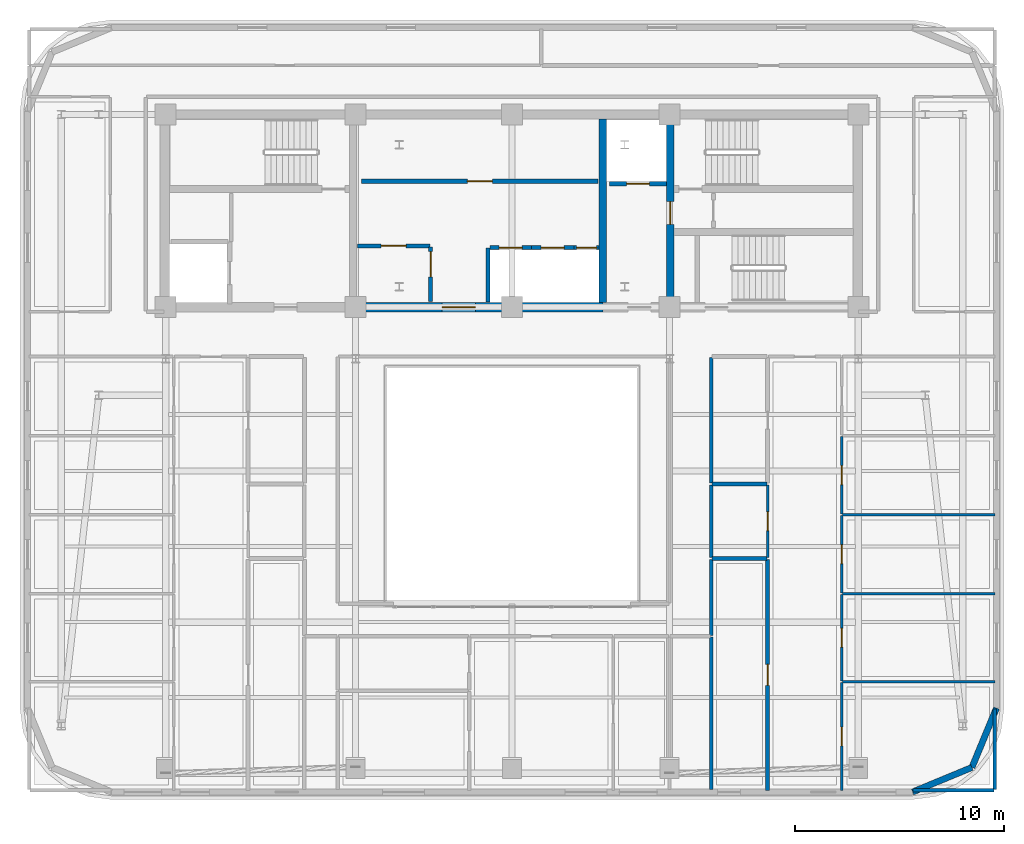
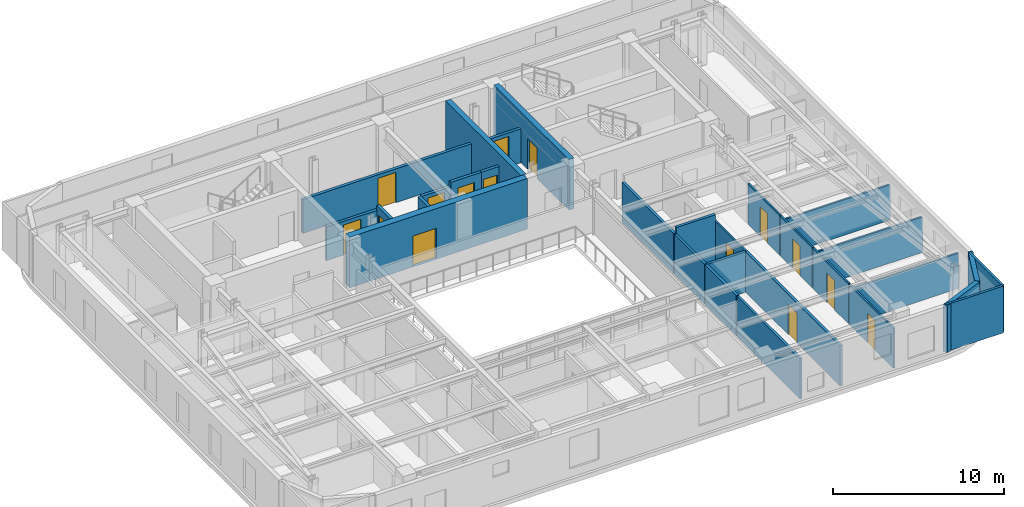
# One storey, part 8 of 14: 30 walls, 15 doors, 15 openings.
"""IFC4 building model written with IfcOpenShell, lengths in metres."""

import ifcopenshell
import ifcopenshell.guid

model = None  # the IFC model being written
_history = None  # IfcOwnerHistory: only IFC2X3 demands one
_inside = {}  # id of a spatial element -> (the spatial element, [elements in it])
_under = {}  # id of a project, library or spatial element -> (it, [spatial elements below it])
_declared = {}  # id of a project -> (the project, [libraries it declares])
_typed = {}  # id of a type object -> (the type object, [elements of that type])
_made_of = {}  # id of a material, layer set ... -> (it, [elements and type objects made of it])


def new_model(schema):
    """Start an empty IFC model of exactly this schema.

    Asked for "IFC4X3", IfcOpenShell would pick the latest addendum, in which some entities
    have other attributes; the version numbers below select the first issue.
    IFC2X3 requires an IfcOwnerHistory on every rooted entity: one is made here for all.
    """
    global model, _history
    if schema == "IFC4X3":
        model = ifcopenshell.file(schema_version=(4, 3, 0, 0))
    else:
        model = ifcopenshell.file(schema=schema)
    _inside.clear()
    _under.clear()
    _declared.clear()
    _typed.clear()
    _made_of.clear()
    _history = None
    if model.schema == "IFC2X3":
        org = make("IfcOrganization", Name="unknown")
        user = make(
            "IfcPersonAndOrganization",
            ThePerson=make("IfcPerson", FamilyName="unknown"),
            TheOrganization=org,
        )
        app = make(
            "IfcApplication",
            ApplicationDeveloper=org,
            Version="unknown",
            ApplicationFullName="unknown",
            ApplicationIdentifier="unknown",
        )
        _history = make(
            "IfcOwnerHistory",
            OwningUser=user,
            OwningApplication=app,
            ChangeAction="ADDED",
            CreationDate=0,
        )
    return model


def make(cls, **values):
    """One entity of the class cls with the attributes given. An attribute that is None is left unset."""
    return model.create_entity(
        cls, **{name: value for name, value in values.items() if value is not None}
    )


def rooted(cls, **values):
    """An entity with a GlobalId (a new one), such as an element, a storey or a relation."""
    return make(cls, GlobalId=ifcopenshell.guid.new(), OwnerHistory=_history, **values)


def si_unit(unit_type, name, prefix=None):
    """IfcSIUnit, for example si_unit("LENGTHUNIT", "METRE", prefix="MILLI")."""
    return make("IfcSIUnit", UnitType=unit_type, Prefix=prefix, Name=name)


def assignment(units):
    """IfcUnitAssignment: the units of a project."""
    return None if units is None else make("IfcUnitAssignment", Units=units)


def point(xyz):
    """IfcCartesianPoint."""
    return None if xyz is None else make("IfcCartesianPoint", Coordinates=xyz)


def direction(xyz):
    """IfcDirection."""
    return None if xyz is None else make("IfcDirection", DirectionRatios=xyz)


def frame(location, z_axis=None, x_axis=None):
    """IfcAxis2Placement3D, a coordinate frame: its origin and axes. An axis left out is left unset."""
    return make(
        "IfcAxis2Placement3D",
        Location=point(location),
        Axis=direction(z_axis),
        RefDirection=direction(x_axis),
    )


def frame_2d(location, x_axis=None):
    """IfcAxis2Placement2D, a coordinate frame in the plane: its origin and x axis."""
    return make(
        "IfcAxis2Placement2D", Location=point(location), RefDirection=direction(x_axis)
    )


def origin():
    """The frame at (0, 0, 0) with its axes left unset."""
    return frame((0.0, 0.0, 0.0))


def place(relative_to, where):
    """IfcLocalPlacement: puts the frame where relative to a parent placement (None: the world)."""
    return make(
        "IfcLocalPlacement", PlacementRelTo=relative_to, RelativePlacement=where
    )


def context(
    kind, dimensions, precision=None, world=None, true_north=None, identifier=None
):
    """IfcGeometricRepresentationContext, for example the 3D "Model" context."""
    return make(
        "IfcGeometricRepresentationContext",
        ContextIdentifier=identifier,
        ContextType=kind,
        CoordinateSpaceDimension=dimensions,
        Precision=precision,
        WorldCoordinateSystem=world,
        TrueNorth=true_north,
    )


def subcontext(parent, identifier, kind, view, scale=None):
    """IfcGeometricRepresentationSubContext, for example "Body" below "Model"."""
    return make(
        "IfcGeometricRepresentationSubContext",
        ContextIdentifier=identifier,
        ContextType=kind,
        ParentContext=parent,
        TargetScale=scale,
        TargetView=view,
    )


def project(units=None, contexts=None):
    """IfcProject with its units and contexts."""
    return rooted(
        "IfcProject",
        Name="project",
        RepresentationContexts=contexts,
        UnitsInContext=assignment(units),
    )


def spatial(cls, under=None, at=None, **own):
    """A site, building, storey or space (cls), placed at a placement, below another one or the project."""
    s = rooted(cls, ObjectPlacement=at, **own)
    if under is not None:
        _under.setdefault(under.id(), (under, []))[1].append(s)
    return s


def profile(cls, at=None, kind="AREA", **sizes):
    """A parametric profile (cls). Its sizes go by their IFC names, for example OverallWidth=200.0."""
    return make(cls, ProfileType=kind, Position=at, **sizes)


def rectangle(**sizes):
    """IfcRectangleProfileDef."""
    return profile("IfcRectangleProfileDef", **sizes)


def extrude(swept, where, along, depth):
    """IfcExtrudedAreaSolid: the profile swept, set in the frame where, extruded along a direction by depth."""
    return make(
        "IfcExtrudedAreaSolid",
        SweptArea=swept,
        Position=where,
        ExtrudedDirection=direction(along),
        Depth=depth,
    )


def shape(context_of_items, identifier, shape_type, items):
    """IfcShapeRepresentation: the items that make up one representation, for example the "Body"."""
    return make(
        "IfcShapeRepresentation",
        ContextOfItems=context_of_items,
        RepresentationIdentifier=identifier,
        RepresentationType=shape_type,
        Items=items,
    )


def material(Name=None, Category=None):
    """IfcMaterial."""
    return make("IfcMaterial", Name=Name, Category=Category)


def layer(
    of_material, thickness, ventilated=None, Name=None, Category=None, Priority=None
):
    """IfcMaterialLayer: one layer of a wall or slab, of a material (None: an air gap)."""
    return make(
        "IfcMaterialLayer",
        Material=of_material,
        LayerThickness=thickness,
        IsVentilated=ventilated,
        Name=Name,
        Category=Category,
        Priority=Priority,
    )


def layer_set(layers, Name=None):
    """IfcMaterialLayerSet."""
    return make("IfcMaterialLayerSet", MaterialLayers=layers, LayerSetName=Name)


def made_of(thing, what):
    """Note that an element or type object is made of a material, layer set ...; save() writes the relation."""
    if what is not None:
        _made_of.setdefault(what.id(), (what, []))[1].append(thing)
    return thing


def type_object(cls, material=None, **own):
    """A type object (cls), such as IfcWallType, which elements share."""
    return made_of(rooted(cls, **own), material)


def element(
    cls,
    number,
    at=None,
    inside=None,
    cuts=None,
    type_object=None,
    material=None,
    context=None,
    identifier="Body",
    shape_type=None,
    held_by="IfcProductDefinitionShape",
    body=None,
    shapes=None,
    **own,
):
    """One element of the class cls, such as IfcWall. Its Tag is "e" and its number.

    at: its placement. inside: the storey or other place that contains it. cuts: it is an
    opening in that element (IfcRelVoidsElement). A single representation is given by context,
    identifier, shape_type and body (its items); several are given by shapes. held_by: the class
    of the entity that holds the representations. save() writes the other relations.
    """
    e = rooted(cls, Tag="e%d" % number, ObjectPlacement=at, **own)
    if body is not None:
        shapes = [shape(context, identifier, shape_type, body)]
    if shapes is not None:
        e.Representation = make(held_by, Representations=shapes)
    if inside is not None:
        _inside.setdefault(inside.id(), (inside, []))[1].append(e)
    if cuts is not None:
        rooted(
            "IfcRelVoidsElement", RelatingBuildingElement=cuts, RelatedOpeningElement=e
        )
    if type_object is not None:
        _typed.setdefault(type_object.id(), (type_object, []))[1].append(e)
    return made_of(e, material)


def fill(opening, filler):
    """IfcRelFillsElement: the door or window that sits in an opening."""
    return rooted(
        "IfcRelFillsElement",
        RelatingOpeningElement=opening,
        RelatedBuildingElement=filler,
    )


def aggregate(whole, parts):
    """IfcRelAggregates: a whole, such as a stair, and the parts it consists of."""
    return rooted("IfcRelAggregates", RelatingObject=whole, RelatedObjects=parts)


def save(model, path):
    """Write the relations noted so far, then the file.

    IfcRelAggregates (storeys below a building ...), IfcRelContainedInSpatialStructure (elements
    in a storey), IfcRelDefinesByType, IfcRelAssociatesMaterial and IfcRelDeclares: one each for
    every whole, place, type object, material and project.
    """
    for whole, parts in _under.values():
        aggregate(whole, parts)
    for where, things in _inside.values():
        rooted(
            "IfcRelContainedInSpatialStructure",
            RelatedElements=things,
            RelatingStructure=where,
        )
    for kind, things in _typed.values():
        rooted("IfcRelDefinesByType", RelatedObjects=things, RelatingType=kind)
    for what, things in _made_of.values():
        rooted("IfcRelAssociatesMaterial", RelatedObjects=things, RelatingMaterial=what)
    for by, libraries in _declared.values():
        rooted("IfcRelDeclares", RelatingContext=by, RelatedDefinitions=libraries)
    model.write(path)


model = new_model("IFC4")

# Units and contexts
model_context = context("Model", 3, precision=1e-05, world=origin(), true_north=direction((0.0, 1.0)))
body_context = subcontext(model_context, "Body", "Model", "MODEL_VIEW")
ifc_project = project(units=[si_unit("LENGTHUNIT", "METRE"), si_unit("AREAUNIT", "SQUARE_METRE"), si_unit("VOLUMEUNIT", "CUBIC_METRE"), si_unit("PLANEANGLEUNIT", "RADIAN"), si_unit("MASSUNIT", "GRAM", prefix="KILO")], contexts=[model_context])

# Site, building, storey
site_placement = place(None, origin())
site = spatial("IfcSite", under=ifc_project, at=site_placement, CompositionType="ELEMENT")
building_placement = place(site_placement, origin())
building = spatial("IfcBuilding", under=site, at=building_placement, Name="Zarnavel Station Tower", CompositionType="ELEMENT")
storey_placement = place(building_placement, frame((0.0, 0.0, 225.60009765625)))
storey = spatial("IfcBuildingStorey", under=building, at=storey_placement, Name="L61", CompositionType="ELEMENT", Elevation=225.60009765625)

# Wall
ifc_material_1 = material(Name="Concrete C50/60", Category="concrete")
ifc_layer_1 = layer(ifc_material_1, 0.35009765625)
ifc_layer_set_1 = layer_set([ifc_layer_1], Name="CW_350")
wall_type_1 = type_object("IfcWallType", Name="CW_350", PredefinedType="SHEAR", material=ifc_layer_set_1)
wall_1_placement = place(storey_placement, frame((33.14990234375, 28.044921875, 0.0), z_axis=(0.0, 0.0, 1.0), x_axis=(0.0, 1.0, 0.0)))
element("IfcWall", 1, at=wall_1_placement, inside=storey, type_object=wall_type_1, Name="L61 Rear Core Shear Wall DIV-E", PredefinedType="SHEAR", context=body_context, shape_type="SweptSolid", body=[
    extrude(rectangle(XDim=8.780029296875, YDim=0.35009765625, at=frame_2d((4.39013671875, 0.0))), origin(), (0.0, 0.0, 1.0), 3.599853515625),
])

# Wall, opening, door
wall_2_placement = place(storey_placement, frame((36.3798828125, 28.044921875, 0.0), z_axis=(0.0, 0.0, 1.0), x_axis=(0.0, 1.0, 0.0)))
wall_2 = element("IfcWall", 2, at=wall_2_placement, inside=storey, type_object=wall_type_1, Name="L61 Rear Core Shear Wall DIV-S2", PredefinedType="SHEAR", context=body_context, shape_type="SweptSolid", body=[
    extrude(rectangle(XDim=8.780029296875, YDim=0.35009765625, at=frame_2d((4.39013671875, 0.0))), origin(), (0.0, 0.0, 1.0), 3.599853515625),
])
opening_1_placement = place(wall_2_placement, frame((3.735107421875, 0.0, 0.0)))
opening_1 = element("IfcOpeningElement", 3, at=opening_1_placement, cuts=wall_2, Name="Opening FD01", PredefinedType="OPENING", context=body_context, shape_type="SweptSolid", body=[
    extrude(rectangle(XDim=1.10009765625, YDim=2.14990234375, at=frame_2d((0.550048828125, 1.074951171875))), frame((0.0, 0.18505859375, 0.0), z_axis=(0.0, -1.0, 0.0), x_axis=(1.0, 0.0, 0.0)), (0.0, 0.0, 1.0), 0.3701171875),
])
ifc_material_2 = material(Name="Painted Galvanised Steel and Hardwood Leaf", Category="steel")
door_type_1 = type_object("IfcDoorType", Name="ID_STAIR_1100", OperationType="NOTDEFINED", PredefinedType="DOOR", material=ifc_material_2)
door_1_placement = place(opening_1_placement, origin())
door_1 = element("IfcDoor", 4, at=door_1_placement, inside=storey, type_object=door_type_1, Name="L61 East Stair Vestibule Fire Door", OperationType="SINGLE_SWING_LEFT", OverallHeight=2.14990234375, OverallWidth=1.10009765625, PredefinedType="DOOR", context=body_context, shape_type="SweptSolid", body=[
    extrude(rectangle(XDim=1.10009765625, YDim=2.14990234375, at=frame_2d((0.550048828125, 1.074951171875))), frame((0.0, 0.02490234375, 0.0), z_axis=(0.0, -1.0, 0.0), x_axis=(1.0, 0.0, 0.0)), (0.0, 0.0, 1.0), 0.050048828125),
])
fill(opening_1, door_1)

ifc_material_3 = material(Name="Concrete C50/60", Category="concrete")
ifc_layer_2 = layer(ifc_material_3, 0.449951171875)
ifc_layer_set_2 = layer_set([ifc_layer_2], Name="CW_450")
wall_type_2 = type_object("IfcWallType", Name="CW_450", PredefinedType="SHEAR", material=ifc_layer_set_2)
wall_3_placement = place(storey_placement, frame((33.14990234375, 27.820068359375, 0.0), z_axis=(0.0, 0.0, 1.0), x_axis=(-1.0, 0.0, 0.0)))
wall_3 = element("IfcWall", 5, at=wall_3_placement, inside=storey, type_object=wall_type_2, Name="L61 Rear Core Shear Wall S-M", PredefinedType="SHEAR", context=body_context, shape_type="SweptSolid", body=[
    extrude(rectangle(XDim=11.969970703125, YDim=0.449951171875, at=frame_2d((5.98486328125, 0.0))), origin(), (0.0, 0.0, 1.0), 3.599853515625),
])
opening_2_placement = place(wall_3_placement, frame((6.10009765625, 0.0, 0.0)))
opening_2 = element("IfcOpeningElement", 6, at=opening_2_placement, cuts=wall_3, Name="Opening ID03", PredefinedType="OPENING", context=body_context, shape_type="SweptSolid", body=[
    extrude(rectangle(XDim=1.60009765625, YDim=2.199951171875, at=frame_2d((0.800048828125, 1.10009765625))), frame((0.0, 0.23486328125, 0.0), z_axis=(0.0, -1.0, 0.0), x_axis=(1.0, 0.0, 0.0)), (0.0, 0.0, 1.0), 0.469970703125),
])
ifc_material_4 = material(Name="Painted Galvanised Steel and Hardwood Leaf", Category="steel")
door_type_2 = type_object("IfcDoorType", Name="ID_PUBLIC_1600", OperationType="DOUBLE_DOOR_SINGLE_SWING", PredefinedType="DOOR", material=ifc_material_4)
door_2_placement = place(opening_2_placement, origin())
door_2 = element("IfcDoor", 7, at=door_2_placement, inside=storey, type_object=door_type_2, Name="L61 Passenger Lift Lobby Double Door", OperationType="SINGLE_SWING_LEFT", OverallHeight=2.199951171875, OverallWidth=1.60009765625, PredefinedType="DOOR", context=body_context, shape_type="SweptSolid", body=[
    extrude(rectangle(XDim=1.60009765625, YDim=2.199951171875, at=frame_2d((0.800048828125, 1.10009765625))), frame((0.0, 0.02490234375, 0.0), z_axis=(0.0, -1.0, 0.0), x_axis=(1.0, 0.0, 0.0)), (0.0, 0.0, 1.0), 0.050048828125),
])
fill(opening_2, door_2)

# Walls
ifc_material_5 = material(Name="Precast concrete C45/55 (Dark Basalt Finish)", Category="masonry")
ifc_layer_3 = layer(ifc_material_5, 0.300048828125)
ifc_layer_set_3 = layer_set([ifc_layer_3], Name="EW_BASALT_300")
wall_type_3 = type_object("IfcWallType", Name="EW_BASALT_300", PredefinedType="SOLIDWALL", material=ifc_layer_set_3)
wall_4_placement = place(storey_placement, frame((50.842529296875, 5.75732421875, 0.0), z_axis=(0.0, 0.0, 1.0), x_axis=(-0.92389884758, -0.382636798336, 0.0)))
element("IfcWall", 8, at=wall_4_placement, inside=storey, type_object=wall_type_3, Name="L61 Exterior Basalt Masonry Frame Wall 01", PredefinedType="SOLIDWALL", context=body_context, shape_type="SweptSolid", body=[
    extrude(rectangle(XDim=3.07666015625, YDim=0.300048828125, at=frame_2d((1.538330078125, 0.0))), origin(), (0.0, 0.0, 1.0), 3.33984375),
])
wall_5_placement = place(storey_placement, frame((52.02001953125, 8.60009765625, 0.0), z_axis=(0.0, 0.0, 1.0), x_axis=(-0.382676475685, -0.923882414032, 0.0)))
element("IfcWall", 9, at=wall_5_placement, inside=storey, type_object=wall_type_3, Name="L61 Exterior Basalt Masonry Frame Wall 02", PredefinedType="SOLIDWALL", context=body_context, shape_type="SweptSolid", body=[
    extrude(rectangle(XDim=3.076904296875, YDim=0.300048828125, at=frame_2d((1.53857421875, 0.0))), origin(), (0.0, 0.0, 1.0), 3.33984375),
])
ifc_material_6 = material(Name="Gypsum Twin-Stud Acoustic Fire Partition", Category="concrete")
ifc_layer_4 = layer(ifc_material_6, 0.159912109375)
ifc_layer_set_4 = layer_set([ifc_layer_4], Name="PT_DEMISE_160")
wall_type_4 = type_object("IfcWallType", Name="PT_DEMISE_160", PredefinedType="PARTITIONING", material=ifc_layer_set_4)
wall_6_placement = place(storey_placement, frame((38.35009765625, 15.81103515625, 0.0), z_axis=(0.0, 0.0, 1.0), x_axis=(0.0, 1.0, 0.0)))
element("IfcWall", 10, at=wall_6_placement, inside=storey, type_object=wall_type_4, Name="L61 Partition COR-AE-UE1UT", PredefinedType="PARTITIONING", context=body_context, shape_type="SweptSolid", body=[
    extrude(rectangle(XDim=3.488037109375, YDim=0.159912109375, at=frame_2d((1.744140625, 0.0))), origin(), (0.0, 0.0, 1.0), 2.869873046875),
])
wall_7_placement = place(storey_placement, frame((38.35009765625, 4.68994140625, 0.0), z_axis=(0.0, 0.0, 1.0), x_axis=(0.0, 1.0, 0.0)))
element("IfcWall", 11, at=wall_7_placement, inside=storey, type_object=wall_type_4, Name="L61 Enclosure Wall UE1KT", PredefinedType="PARTITIONING", context=body_context, shape_type="SweptSolid", body=[
    extrude(rectangle(XDim=7.330078125, YDim=0.159912109375, at=frame_2d((3.6650390625, 0.0))), origin(), (0.0, 0.0, 1.0), 2.869873046875),
])
wall_8_placement = place(storey_placement, frame((48.030029296875, 4.659912109375, 0.0), z_axis=(0.0, 0.0, 1.0), x_axis=(1.0, 0.0, 0.0)))
element("IfcWall", 12, at=wall_8_placement, inside=storey, type_object=wall_type_4, Name="L61 Enclosure Wall UE1B1", PredefinedType="PARTITIONING", context=body_context, shape_type="SweptSolid", body=[
    extrude(rectangle(XDim=3.8798828125, YDim=0.159912109375, at=frame_2d((1.93994140625, 0.0))), origin(), (0.0, 0.0, 1.0), 3.33984375),
])
wall_9_placement = place(storey_placement, frame((51.93994140625, 4.68994140625, 0.0), z_axis=(0.0, 0.0, 1.0), x_axis=(0.0, 1.0, 0.0)))
element("IfcWall", 13, at=wall_9_placement, inside=storey, type_object=wall_type_4, Name="L61 Enclosure Wall UE1B1", PredefinedType="PARTITIONING", context=body_context, shape_type="SweptSolid", body=[
    extrude(rectangle(XDim=3.880126953125, YDim=0.159912109375, at=frame_2d((1.93994140625, 0.0))), origin(), (0.0, 0.0, 1.0), 3.33984375),
])

# Wall, opening, door
ifc_material_7 = material(Name="Gypsum Metal-Stud Interior Partition", Category="concrete")
ifc_layer_5 = layer(ifc_material_7, 0.1201171875)
ifc_layer_set_5 = layer_set([ifc_layer_5], Name="PT_ROOM_120")
wall_type_5 = type_object("IfcWallType", Name="PT_ROOM_120", PredefinedType="PARTITIONING", material=ifc_layer_set_5)
wall_10_placement = place(storey_placement, frame((41.050048828125, 15.81103515625, 0.0), z_axis=(0.0, 0.0, 1.0), x_axis=(0.0, 1.0, 0.0)))
wall_10 = element("IfcWall", 14, at=wall_10_placement, inside=storey, type_object=wall_type_5, Name="L61 Partition UE1LV-UE1UT", PredefinedType="PARTITIONING", context=body_context, shape_type="SweptSolid", body=[
    extrude(rectangle(XDim=3.488037109375, YDim=0.1201171875, at=frame_2d((1.744140625, 0.0))), origin(), (0.0, 0.0, 1.0), 2.869873046875),
])
opening_3_placement = place(wall_10_placement, frame((1.2939453125, 0.0, 0.0)))
opening_3 = element("IfcOpeningElement", 15, at=opening_3_placement, cuts=wall_10, Name="Opening ID01", PredefinedType="OPENING", context=body_context, shape_type="SweptSolid", body=[
    extrude(rectangle(XDim=0.89990234375, YDim=2.10009765625, at=frame_2d((0.449951171875, 1.050048828125))), frame((0.0, 0.070068359375, 0.0), z_axis=(0.0, -1.0, 0.0), x_axis=(1.0, 0.0, 0.0)), (0.0, 0.0, 1.0), 0.14013671875),
])
ifc_material_8 = material(Name="Painted Galvanised Steel and Hardwood Leaf", Category="steel")
door_type_3 = type_object("IfcDoorType", Name="ID_ROOM_900", OperationType="NOTDEFINED", PredefinedType="DOOR", material=ifc_material_8)
door_3_placement = place(opening_3_placement, origin())
door_3 = element("IfcDoor", 16, at=door_3_placement, inside=storey, type_object=door_type_3, Name="L61 Door UE1LV-UE1UT", OperationType="SINGLE_SWING_LEFT", OverallHeight=2.10009765625, OverallWidth=0.89990234375, PredefinedType="DOOR", context=body_context, shape_type="SweptSolid", body=[
    extrude(rectangle(XDim=0.89990234375, YDim=2.10009765625, at=frame_2d((0.449951171875, 1.050048828125))), frame((0.0, 0.02490234375, 0.0), z_axis=(0.0, -1.0, 0.0), x_axis=(1.0, 0.0, 0.0)), (0.0, 0.0, 1.0), 0.050048828125),
])
fill(opening_3, door_3)

wall_11_placement = place(storey_placement, frame((44.60888671875, 4.659912109375, 0.0), z_axis=(0.0, 0.0, 1.0), x_axis=(0.0, 1.0, 0.0)))
wall_11 = element("IfcWall", 17, at=wall_11_placement, inside=storey, type_object=wall_type_5, Name="L61 Partition UE1LV-UE1B1", PredefinedType="PARTITIONING", context=body_context, shape_type="SweptSolid", body=[
    extrude(rectangle(XDim=5.156982421875, YDim=0.1201171875, at=frame_2d((2.57861328125, 0.0))), origin(), (0.0, 0.0, 1.0), 2.869873046875),
])
opening_4_placement = place(wall_11_placement, frame((2.12841796875, 0.0, 0.0)))
opening_4 = element("IfcOpeningElement", 18, at=opening_4_placement, cuts=wall_11, Name="Opening ID01", PredefinedType="OPENING", context=body_context, shape_type="SweptSolid", body=[
    extrude(rectangle(XDim=0.89990234375, YDim=2.10009765625, at=frame_2d((0.449951171875, 1.050048828125))), frame((0.0, 0.070068359375, 0.0), z_axis=(0.0, -1.0, 0.0), x_axis=(1.0, 0.0, 0.0)), (0.0, 0.0, 1.0), 0.14013671875),
])
door_4_placement = place(opening_4_placement, origin())
door_4 = element("IfcDoor", 19, at=door_4_placement, inside=storey, type_object=door_type_3, Name="L61 Door UE1LV-UE1B1", OperationType="SINGLE_SWING_LEFT", OverallHeight=2.10009765625, OverallWidth=0.89990234375, PredefinedType="DOOR", context=body_context, shape_type="SweptSolid", body=[
    extrude(rectangle(XDim=0.89990234375, YDim=2.10009765625, at=frame_2d((0.449951171875, 1.050048828125))), frame((0.0, 0.02490234375, 0.0), z_axis=(0.0, -1.0, 0.0), x_axis=(1.0, 0.0, 0.0)), (0.0, 0.0, 1.0), 0.050048828125),
])
fill(opening_4, door_4)

wall_12_placement = place(storey_placement, frame((44.60888671875, 9.89697265625, 0.0), z_axis=(0.0, 0.0, 1.0), x_axis=(0.0, 1.0, 0.0)))
wall_12 = element("IfcWall", 20, at=wall_12_placement, inside=storey, type_object=wall_type_5, Name="L61 Partition UE1LV-UE1B2", PredefinedType="PARTITIONING", context=body_context, shape_type="SweptSolid", body=[
    extrude(rectangle(XDim=4.14794921875, YDim=0.1201171875, at=frame_2d((2.073974609375, 0.0))), origin(), (0.0, 0.0, 1.0), 2.8798828125),
])
opening_5_placement = place(wall_12_placement, frame((1.6240234375, 0.0, 0.0)))
opening_5 = element("IfcOpeningElement", 21, at=opening_5_placement, cuts=wall_12, Name="Opening ID01", PredefinedType="OPENING", context=body_context, shape_type="SweptSolid", body=[
    extrude(rectangle(XDim=0.89990234375, YDim=2.10009765625, at=frame_2d((0.449951171875, 1.050048828125))), frame((0.0, 0.070068359375, 0.0), z_axis=(0.0, -1.0, 0.0), x_axis=(1.0, 0.0, 0.0)), (0.0, 0.0, 1.0), 0.14013671875),
])
door_5_placement = place(opening_5_placement, origin())
door_5 = element("IfcDoor", 22, at=door_5_placement, inside=storey, type_object=door_type_3, Name="L61 Door UE1LV-UE1B2", OperationType="SINGLE_SWING_RIGHT", OverallHeight=2.10009765625, OverallWidth=0.89990234375, PredefinedType="DOOR", context=body_context, shape_type="SweptSolid", body=[
    extrude(rectangle(XDim=0.89990234375, YDim=2.10009765625, at=frame_2d((0.449951171875, 1.050048828125))), frame((0.0, 0.02490234375, 0.0), z_axis=(0.0, -1.0, 0.0), x_axis=(1.0, 0.0, 0.0)), (0.0, 0.0, 1.0), 0.050048828125),
])
fill(opening_5, door_5)

wall_13_placement = place(storey_placement, frame((44.60888671875, 14.125, 0.0), z_axis=(0.0, 0.0, 1.0), x_axis=(0.0, 1.0, 0.0)))
wall_13 = element("IfcWall", 23, at=wall_13_placement, inside=storey, type_object=wall_type_5, Name="L61 Partition UE1LV-UE1B3", PredefinedType="PARTITIONING", context=body_context, shape_type="SweptSolid", body=[
    extrude(rectangle(XDim=3.7080078125, YDim=0.1201171875, at=frame_2d((1.85400390625, 0.0))), origin(), (0.0, 0.0, 1.0), 2.869873046875),
])
opening_6_placement = place(wall_13_placement, frame((1.404052734375, 0.0, 0.0)))
opening_6 = element("IfcOpeningElement", 24, at=opening_6_placement, cuts=wall_13, Name="Opening ID01", PredefinedType="OPENING", context=body_context, shape_type="SweptSolid", body=[
    extrude(rectangle(XDim=0.89990234375, YDim=2.10009765625, at=frame_2d((0.449951171875, 1.050048828125))), frame((0.0, 0.070068359375, 0.0), z_axis=(0.0, -1.0, 0.0), x_axis=(1.0, 0.0, 0.0)), (0.0, 0.0, 1.0), 0.14013671875),
])
door_6_placement = place(opening_6_placement, origin())
door_6 = element("IfcDoor", 25, at=door_6_placement, inside=storey, type_object=door_type_3, Name="L61 Door UE1LV-UE1B3", OperationType="SINGLE_SWING_LEFT", OverallHeight=2.10009765625, OverallWidth=0.89990234375, PredefinedType="DOOR", context=body_context, shape_type="SweptSolid", body=[
    extrude(rectangle(XDim=0.89990234375, YDim=2.10009765625, at=frame_2d((0.449951171875, 1.050048828125))), frame((0.0, 0.02490234375, 0.0), z_axis=(0.0, -1.0, 0.0), x_axis=(1.0, 0.0, 0.0)), (0.0, 0.0, 1.0), 0.050048828125),
])
fill(opening_6, door_6)

wall_14_placement = place(storey_placement, frame((44.60888671875, 17.9130859375, 0.0), z_axis=(0.0, 0.0, 1.0), x_axis=(0.0, 1.0, 0.0)))
wall_14 = element("IfcWall", 26, at=wall_14_placement, inside=storey, type_object=wall_type_5, Name="L61 Partition UE1LV-UE1B4", PredefinedType="PARTITIONING", context=body_context, shape_type="SweptSolid", body=[
    extrude(rectangle(XDim=3.7080078125, YDim=0.1201171875, at=frame_2d((1.85400390625, 0.0))), origin(), (0.0, 0.0, 1.0), 2.8798828125),
])
opening_7_placement = place(wall_14_placement, frame((1.404052734375, 0.0, 0.0)))
opening_7 = element("IfcOpeningElement", 27, at=opening_7_placement, cuts=wall_14, Name="Opening ID01", PredefinedType="OPENING", context=body_context, shape_type="SweptSolid", body=[
    extrude(rectangle(XDim=0.89990234375, YDim=2.10009765625, at=frame_2d((0.449951171875, 1.050048828125))), frame((0.0, 0.070068359375, 0.0), z_axis=(0.0, -1.0, 0.0), x_axis=(1.0, 0.0, 0.0)), (0.0, 0.0, 1.0), 0.14013671875),
])
door_7_placement = place(opening_7_placement, origin())
door_7 = element("IfcDoor", 28, at=door_7_placement, inside=storey, type_object=door_type_3, Name="L61 Door UE1LV-UE1B4", OperationType="SINGLE_SWING_RIGHT", OverallHeight=2.10009765625, OverallWidth=0.89990234375, PredefinedType="DOOR", context=body_context, shape_type="SweptSolid", body=[
    extrude(rectangle(XDim=0.89990234375, YDim=2.10009765625, at=frame_2d((0.449951171875, 1.050048828125))), frame((0.0, 0.02490234375, 0.0), z_axis=(0.0, -1.0, 0.0), x_axis=(1.0, 0.0, 0.0)), (0.0, 0.0, 1.0), 0.050048828125),
])
fill(opening_7, door_7)

# Walls
for number, where, z_axis, x_axis, name in (
    (29, (44.64892578125, 9.85693359375, 0.0), (0.0, 0.0, 1.0), (1.0, 0.0, 0.0), "L61 Partition UE1B1-UE1B2"),
    (30, (44.64892578125, 14.0849609375, 0.0), (0.0, 0.0, 1.0), (1.0, 0.0, 0.0), "L61 Partition UE1B2-UE1B3"),
    (31, (44.64892578125, 17.873046875, 0.0), (0.0, 0.0, 1.0), (1.0, 0.0, 0.0), "L61 Partition UE1B3-UE1B4"),
):
    element("IfcWall", number, at=place(storey_placement, frame(where, z_axis=z_axis, x_axis=x_axis)), inside=storey, type_object=wall_type_5, Name=name, PredefinedType="PARTITIONING", context=body_context, shape_type="SweptSolid", body=[
        extrude(rectangle(XDim=7.291015625, YDim=0.1201171875, at=frame_2d((3.6455078125, 0.0))), origin(), (0.0, 0.0, 1.0), 2.52001953125),
    ])

# Wall, opening, door
ifc_material_9 = material(Name="Precast concrete C45/55 (Fire Shaft Blockwork)", Category="masonry")
ifc_layer_6 = layer(ifc_material_9, 0.199951171875)
ifc_layer_set_6 = layer_set([ifc_layer_6], Name="PT_SHAFT_200")
wall_type_6 = type_object("IfcWallType", Name="PT_SHAFT_200", PredefinedType="PARTITIONING", material=ifc_layer_set_6)
wall_15_placement = place(storey_placement, frame((33.47509765625, 33.72998046875, 0.0), z_axis=(0.0, 0.0, 1.0), x_axis=(1.0, 0.0, 0.0)))
wall_15 = element("IfcWall", 32, at=wall_15_placement, inside=storey, type_object=wall_type_6, Name="L61 Lift FFL-02 Shaft Front Wall", PredefinedType="PARTITIONING", context=body_context, shape_type="SweptSolid", body=[
    extrude(rectangle(XDim=2.724853515625, YDim=0.199951171875, at=frame_2d((1.3623046875, 0.0))), origin(), (0.0, 0.0, 1.0), 2.409912109375),
])
opening_8_placement = place(wall_15_placement, frame((0.8125, 0.0, 0.0)))
opening_8 = element("IfcOpeningElement", 33, at=opening_8_placement, cuts=wall_15, Name="Opening LD01", PredefinedType="OPENING", context=body_context, shape_type="SweptSolid", body=[
    extrude(rectangle(XDim=1.10009765625, YDim=2.14990234375, at=frame_2d((0.550048828125, 1.074951171875))), frame((0.0, 0.10986328125, 0.0), z_axis=(0.0, -1.0, 0.0), x_axis=(1.0, 0.0, 0.0)), (0.0, 0.0, 1.0), 0.219970703125),
])
ifc_material_10 = material(Name="Painted Galvanised Steel and Hardwood Leaf", Category="steel")
door_type_4 = type_object("IfcDoorType", Name="LD_FF_1100", OperationType="DOUBLE_DOOR_SLIDING", PredefinedType="DOOR", material=ifc_material_10)
door_8_placement = place(opening_8_placement, origin())
door_8 = element("IfcDoor", 34, at=door_8_placement, inside=storey, type_object=door_type_4, Name="L61 Lift FFL-02 Sliding Landing Door", OperationType="DOUBLE_DOOR_SLIDING", OverallHeight=2.14990234375, OverallWidth=1.10009765625, PredefinedType="DOOR", context=body_context, shape_type="SweptSolid", body=[
    extrude(rectangle(XDim=1.10009765625, YDim=2.14990234375, at=frame_2d((0.550048828125, 1.074951171875))), frame((0.0, 0.02490234375, 0.0), z_axis=(0.0, -1.0, 0.0), x_axis=(1.0, 0.0, 0.0)), (0.0, 0.0, 1.0), 0.050048828125),
])
fill(opening_8, door_8)

wall_16_placement = place(storey_placement, frame((27.75, 30.669921875, 0.0), z_axis=(0.0, 0.0, 1.0), x_axis=(1.0, 0.0, 0.0)))
wall_16 = element("IfcWall", 35, at=wall_16_placement, inside=storey, type_object=wall_type_6, Name="L61 Lift PL-H1 Shaft Front Wall", PredefinedType="PARTITIONING", context=body_context, shape_type="SweptSolid", body=[
    extrude(rectangle(XDim=1.97509765625, YDim=0.199951171875, at=frame_2d((0.987548828125, 0.0))), origin(), (0.0, 0.0, 1.0), 2.409912109375),
])
opening_9_placement = place(wall_16_placement, frame((0.4375, 0.0, 0.0)))
opening_9 = element("IfcOpeningElement", 36, at=opening_9_placement, cuts=wall_16, Name="Opening LD02", PredefinedType="OPENING", context=body_context, shape_type="SweptSolid", body=[
    extrude(rectangle(XDim=1.10009765625, YDim=2.14990234375, at=frame_2d((0.550048828125, 1.074951171875))), frame((0.0, 0.10986328125, 0.0), z_axis=(0.0, -1.0, 0.0), x_axis=(1.0, 0.0, 0.0)), (0.0, 0.0, 1.0), 0.219970703125),
])
ifc_material_11 = material(Name="Painted Galvanised Steel and Hardwood Leaf", Category="steel")
door_type_5 = type_object("IfcDoorType", Name="LD_PAX_1100", OperationType="DOUBLE_DOOR_SLIDING", PredefinedType="DOOR", material=ifc_material_11)
door_9_placement = place(opening_9_placement, origin())
door_9 = element("IfcDoor", 37, at=door_9_placement, inside=storey, type_object=door_type_5, Name="L61 Lift PL-H1 Sliding Landing Door", OperationType="DOUBLE_DOOR_SLIDING", OverallHeight=2.14990234375, OverallWidth=1.10009765625, PredefinedType="DOOR", context=body_context, shape_type="SweptSolid", body=[
    extrude(rectangle(XDim=1.10009765625, YDim=2.14990234375, at=frame_2d((0.550048828125, 1.074951171875))), frame((0.0, 0.02490234375, 0.0), z_axis=(0.0, -1.0, 0.0), x_axis=(1.0, 0.0, 0.0)), (0.0, 0.0, 1.0), 0.050048828125),
])
fill(opening_9, door_9)

# Wall
wall_17_placement = place(storey_placement, frame((27.64990234375, 28.070068359375, 0.0), z_axis=(0.0, 0.0, 1.0), x_axis=(0.0, 1.0, 0.0)))
element("IfcWall", 38, at=wall_17_placement, inside=storey, type_object=wall_type_6, Name="L61 High-Rise Lift Bank West Shaft Wall", PredefinedType="PARTITIONING", context=body_context, shape_type="SweptSolid", body=[
    extrude(rectangle(XDim=2.579833984375, YDim=0.199951171875, at=frame_2d((1.2900390625, 0.0))), origin(), (0.0, 0.0, 1.0), 2.409912109375),
])

# Wall, opening, door
wall_18_placement = place(storey_placement, frame((29.72509765625, 30.669921875, 0.0), z_axis=(0.0, 0.0, 1.0), x_axis=(1.0, 0.0, 0.0)))
wall_18 = element("IfcWall", 39, at=wall_18_placement, inside=storey, type_object=wall_type_6, Name="L61 Lift PL-H2 Shaft Front Wall", PredefinedType="PARTITIONING", context=body_context, shape_type="SweptSolid", body=[
    extrude(rectangle(XDim=2.0498046875, YDim=0.199951171875, at=frame_2d((1.02490234375, 0.0))), origin(), (0.0, 0.0, 1.0), 2.719970703125),
])
opening_10_placement = place(wall_18_placement, frame((0.47509765625, 0.0, 0.0)))
opening_10 = element("IfcOpeningElement", 40, at=opening_10_placement, cuts=wall_18, Name="Opening LD02", PredefinedType="OPENING", context=body_context, shape_type="SweptSolid", body=[
    extrude(rectangle(XDim=1.10009765625, YDim=2.14990234375, at=frame_2d((0.550048828125, 1.074951171875))), frame((0.0, 0.10986328125, 0.0), z_axis=(0.0, -1.0, 0.0), x_axis=(1.0, 0.0, 0.0)), (0.0, 0.0, 1.0), 0.219970703125),
])
door_10_placement = place(opening_10_placement, origin())
door_10 = element("IfcDoor", 41, at=door_10_placement, inside=storey, type_object=door_type_5, Name="L61 Lift PL-H2 Sliding Landing Door", OperationType="DOUBLE_DOOR_SLIDING", OverallHeight=2.14990234375, OverallWidth=1.10009765625, PredefinedType="DOOR", context=body_context, shape_type="SweptSolid", body=[
    extrude(rectangle(XDim=1.10009765625, YDim=2.14990234375, at=frame_2d((0.550048828125, 1.074951171875))), frame((0.0, 0.02490234375, 0.0), z_axis=(0.0, -1.0, 0.0), x_axis=(1.0, 0.0, 0.0)), (0.0, 0.0, 1.0), 0.050048828125),
])
fill(opening_10, door_10)

wall_19_placement = place(storey_placement, frame((31.77490234375, 30.669921875, 0.0), z_axis=(0.0, 0.0, 1.0), x_axis=(1.0, 0.0, 0.0)))
wall_19 = element("IfcWall", 42, at=wall_19_placement, inside=storey, type_object=wall_type_6, Name="L61 Lift PL-H3 Shaft Front Wall", PredefinedType="PARTITIONING", context=body_context, shape_type="SweptSolid", body=[
    extrude(rectangle(XDim=1.2001953125, YDim=0.199951171875, at=frame_2d((0.60009765625, 0.0))), origin(), (0.0, 0.0, 1.0), 2.719970703125),
])
opening_11_placement = place(wall_19_placement, frame((0.125, 0.0, 0.0)))
opening_11 = element("IfcOpeningElement", 43, at=opening_11_placement, cuts=wall_19, Name="Opening LD03", PredefinedType="OPENING", context=body_context, shape_type="SweptSolid", body=[
    extrude(rectangle(XDim=0.949951171875, YDim=2.14990234375, at=frame_2d((0.47509765625, 1.074951171875))), frame((0.0, 0.10986328125, 0.0), z_axis=(0.0, -1.0, 0.0), x_axis=(1.0, 0.0, 0.0)), (0.0, 0.0, 1.0), 0.219970703125),
])
ifc_material_12 = material(Name="Painted Galvanised Steel and Hardwood Leaf", Category="steel")
door_type_6 = type_object("IfcDoorType", Name="LD_PAX_0950", OperationType="DOUBLE_DOOR_SLIDING", PredefinedType="DOOR", material=ifc_material_12)
door_11_placement = place(opening_11_placement, origin())
door_11 = element("IfcDoor", 44, at=door_11_placement, inside=storey, type_object=door_type_6, Name="L61 Lift PL-H3 Sliding Landing Door", OperationType="DOUBLE_DOOR_SLIDING", OverallHeight=2.14990234375, OverallWidth=0.949951171875, PredefinedType="DOOR", context=body_context, shape_type="SweptSolid", body=[
    extrude(rectangle(XDim=0.949951171875, YDim=2.14990234375, at=frame_2d((0.47509765625, 1.074951171875))), frame((0.0, 0.02490234375, 0.0), z_axis=(0.0, -1.0, 0.0), x_axis=(1.0, 0.0, 0.0)), (0.0, 0.0, 1.0), 0.050048828125),
])
fill(opening_11, door_11)

wall_20_placement = place(storey_placement, frame((21.39990234375, 30.75, 0.0), z_axis=(0.0, 0.0, 1.0), x_axis=(1.0, 0.0, 0.0)))
wall_20 = element("IfcWall", 45, at=wall_20_placement, inside=storey, type_object=wall_type_6, Name="L61 Partition LLOB-CS1", PredefinedType="PARTITIONING", context=body_context, shape_type="SweptSolid", body=[
    extrude(rectangle(XDim=3.460205078125, YDim=0.199951171875, at=frame_2d((1.72998046875, 0.0))), origin(), (0.0, 0.0, 1.0), 2.409912109375),
])
opening_12_placement = place(wall_20_placement, frame((1.1298828125, 0.0, 0.0)))
opening_12 = element("IfcOpeningElement", 46, at=opening_12_placement, cuts=wall_20, Name="Opening FD03", PredefinedType="OPENING", context=body_context, shape_type="SweptSolid", body=[
    extrude(rectangle(XDim=1.199951171875, YDim=2.14990234375, at=frame_2d((0.60009765625, 1.074951171875))), frame((0.0, 0.10986328125, 0.0), z_axis=(0.0, -1.0, 0.0), x_axis=(1.0, 0.0, 0.0)), (0.0, 0.0, 1.0), 0.219970703125),
])
ifc_material_13 = material(Name="Painted Galvanised Steel and Hardwood Leaf", Category="steel")
door_type_7 = type_object("IfcDoorType", Name="ID_PLANT_1200", OperationType="NOTDEFINED", PredefinedType="DOOR", material=ifc_material_13)
door_12_placement = place(opening_12_placement, origin())
door_12 = element("IfcDoor", 47, at=door_12_placement, inside=storey, type_object=door_type_7, Name="L61 Door LLOB-CS1", OperationType="SINGLE_SWING_LEFT", OverallHeight=2.14990234375, OverallWidth=1.199951171875, PredefinedType="DOOR", context=body_context, shape_type="SweptSolid", body=[
    extrude(rectangle(XDim=1.199951171875, YDim=2.14990234375, at=frame_2d((0.60009765625, 1.074951171875))), frame((0.0, 0.02490234375, 0.0), z_axis=(0.0, -1.0, 0.0), x_axis=(1.0, 0.0, 0.0)), (0.0, 0.0, 1.0), 0.050048828125),
])
fill(opening_12, door_12)

wall_21_placement = place(storey_placement, frame((21.590087890625, 33.85009765625, 0.0), z_axis=(0.0, 0.0, 1.0), x_axis=(1.0, 0.0, 0.0)))
wall_21 = element("IfcWall", 48, at=wall_21_placement, inside=storey, type_object=wall_type_6, Name="L61 Partition LLOB-FB2A", PredefinedType="PARTITIONING", context=body_context, shape_type="SweptSolid", body=[
    extrude(rectangle(XDim=11.33984375, YDim=0.199951171875, at=frame_2d((5.669921875, 0.0))), origin(), (0.0, 0.0, 1.0), 2.409912109375),
])
opening_13_placement = place(wall_21_placement, frame((5.070068359375, 0.0, 0.0)))
opening_13 = element("IfcOpeningElement", 49, at=opening_13_placement, cuts=wall_21, Name="Opening FD03", PredefinedType="OPENING", context=body_context, shape_type="SweptSolid", body=[
    extrude(rectangle(XDim=1.199951171875, YDim=2.14990234375, at=frame_2d((0.60009765625, 1.074951171875))), frame((0.0, 0.10986328125, 0.0), z_axis=(0.0, -1.0, 0.0), x_axis=(1.0, 0.0, 0.0)), (0.0, 0.0, 1.0), 0.219970703125),
])
door_13_placement = place(opening_13_placement, origin())
door_13 = element("IfcDoor", 50, at=door_13_placement, inside=storey, type_object=door_type_7, Name="L61 Door LLOB-FB2A", OperationType="SINGLE_SWING_RIGHT", OverallHeight=2.14990234375, OverallWidth=1.199951171875, PredefinedType="DOOR", context=body_context, shape_type="SweptSolid", body=[
    extrude(rectangle(XDim=1.199951171875, YDim=2.14990234375, at=frame_2d((0.60009765625, 1.074951171875))), frame((0.0, 0.02490234375, 0.0), z_axis=(0.0, -1.0, 0.0), x_axis=(1.0, 0.0, 0.0)), (0.0, 0.0, 1.0), 0.050048828125),
])
fill(opening_13, door_13)

wall_22_placement = place(storey_placement, frame((24.89990234375, 30.7099609375, 0.0), z_axis=(0.0, 0.0, 1.0), x_axis=(0.0, -1.0, 0.0)))
wall_22 = element("IfcWall", 51, at=wall_22_placement, inside=storey, type_object=wall_type_6, Name="L61 Partition LLOBS-CS1", PredefinedType="PARTITIONING", context=body_context, shape_type="SweptSolid", body=[
    extrude(rectangle(XDim=2.619873046875, YDim=0.199951171875, at=frame_2d((1.31005859375, 0.0))), origin(), (0.0, 0.0, 1.0), 2.719970703125),
])
opening_14_placement = place(wall_22_placement, frame((0.235107421875, 0.0, 0.0)))
opening_14 = element("IfcOpeningElement", 52, at=opening_14_placement, cuts=wall_22, Name="Opening FD03", PredefinedType="OPENING", context=body_context, shape_type="SweptSolid", body=[
    extrude(rectangle(XDim=1.199951171875, YDim=2.14990234375, at=frame_2d((0.60009765625, 1.074951171875))), frame((0.0, 0.10986328125, 0.0), z_axis=(0.0, -1.0, 0.0), x_axis=(1.0, 0.0, 0.0)), (0.0, 0.0, 1.0), 0.219970703125),
])
door_14_placement = place(opening_14_placement, origin())
door_14 = element("IfcDoor", 53, at=door_14_placement, inside=storey, type_object=door_type_7, Name="L61 Door LLOBS-CS1", OperationType="SINGLE_SWING_LEFT", OverallHeight=2.14990234375, OverallWidth=1.199951171875, PredefinedType="DOOR", context=body_context, shape_type="SweptSolid", body=[
    extrude(rectangle(XDim=1.199951171875, YDim=2.14990234375, at=frame_2d((0.60009765625, 1.074951171875))), frame((0.0, 0.02490234375, 0.0), z_axis=(0.0, -1.0, 0.0), x_axis=(1.0, 0.0, 0.0)), (0.0, 0.0, 1.0), 0.050048828125),
])
fill(opening_14, door_14)

# Walls
ifc_material_14 = material(Name="Moisture-Resistant Plumbing Chase Wall", Category="concrete")
ifc_layer_7 = layer(ifc_material_14, 0.179931640625)
ifc_layer_set_7 = layer_set([ifc_layer_7], Name="PW_PLUMB_180")
wall_type_7 = type_object("IfcWallType", Name="PW_PLUMB_180", PredefinedType="PLUMBINGWALL", material=ifc_layer_set_7)
wall_23_placement = place(storey_placement, frame((38.35009765625, 12.090087890625, 0.0), z_axis=(0.0, 0.0, 1.0), x_axis=(0.0, 1.0, 0.0)))
element("IfcWall", 54, at=wall_23_placement, inside=storey, type_object=wall_type_7, Name="L61 Partition COR-AE-UE1KT", PredefinedType="PLUMBINGWALL", context=body_context, shape_type="SweptSolid", body=[
    extrude(rectangle(XDim=3.640869140625, YDim=0.179931640625, at=frame_2d((1.8203125, 0.0))), origin(), (0.0, 0.0, 1.0), 2.8798828125),
])
wall_24_placement = place(storey_placement, frame((38.35009765625, 19.37890625, 0.0), z_axis=(0.0, 0.0, 1.0), x_axis=(0.0, 1.0, 0.0)))
element("IfcWall", 55, at=wall_24_placement, inside=storey, type_object=wall_type_7, Name="L61 Partition COR-AE-UE1BA", PredefinedType="PLUMBINGWALL", context=body_context, shape_type="SweptSolid", body=[
    extrude(rectangle(XDim=6.031005859375, YDim=0.179931640625, at=frame_2d((3.015625, 0.0))), origin(), (0.0, 0.0, 1.0), 2.869873046875),
])

# Wall, opening, door
wall_25_placement = place(storey_placement, frame((41.050048828125, 4.659912109375, 0.0), z_axis=(0.0, 0.0, 1.0), x_axis=(0.0, 1.0, 0.0)))
wall_25 = element("IfcWall", 56, at=wall_25_placement, inside=storey, type_object=wall_type_7, Name="L61 Partition UE1LV-UE1KT", PredefinedType="PLUMBINGWALL", context=body_context, shape_type="SweptSolid", body=[
    extrude(rectangle(XDim=11.071044921875, YDim=0.179931640625, at=frame_2d((5.53564453125, 0.0))), origin(), (0.0, 0.0, 1.0), 2.869873046875),
])
opening_15_placement = place(wall_25_placement, frame((5.035400390625, 0.0, 0.0)))
opening_15 = element("IfcOpeningElement", 57, at=opening_15_placement, cuts=wall_25, Name="Opening FD02", PredefinedType="OPENING", context=body_context, shape_type="SweptSolid", body=[
    extrude(rectangle(XDim=1.0, YDim=2.14990234375, at=frame_2d((0.5, 1.074951171875))), frame((0.0, 0.099853515625, 0.0), z_axis=(0.0, -1.0, 0.0), x_axis=(1.0, 0.0, 0.0)), (0.0, 0.0, 1.0), 0.199951171875),
])
ifc_material_15 = material(Name="Painted Galvanised Steel and Hardwood Leaf", Category="steel")
door_type_8 = type_object("IfcDoorType", Name="ID_ENTRY_1000", OperationType="NOTDEFINED", PredefinedType="DOOR", material=ifc_material_15)
door_15_placement = place(opening_15_placement, origin())
door_15 = element("IfcDoor", 58, at=door_15_placement, inside=storey, type_object=door_type_8, Name="L61 Door UE1LV-UE1KT", OperationType="SINGLE_SWING_RIGHT", OverallHeight=2.14990234375, OverallWidth=1.0, PredefinedType="DOOR", context=body_context, shape_type="SweptSolid", body=[
    extrude(rectangle(XDim=1.0, YDim=2.14990234375, at=frame_2d((0.5, 1.074951171875))), frame((0.0, 0.02490234375, 0.0), z_axis=(0.0, -1.0, 0.0), x_axis=(1.0, 0.0, 0.0)), (0.0, 0.0, 1.0), 0.050048828125),
])
fill(opening_15, door_15)

# Walls
wall_26_placement = place(storey_placement, frame((38.389892578125, 15.77099609375, 0.0), z_axis=(0.0, 0.0, 1.0), x_axis=(1.0, 0.0, 0.0)))
element("IfcWall", 59, at=wall_26_placement, inside=storey, type_object=wall_type_7, Name="L61 Partition UE1KT-UE1UT", PredefinedType="PLUMBINGWALL", context=body_context, shape_type="SweptSolid", body=[
    extrude(rectangle(XDim=2.6201171875, YDim=0.179931640625, at=frame_2d((1.31005859375, 0.0))), origin(), (0.0, 0.0, 1.0), 2.869873046875),
])
wall_27_placement = place(storey_placement, frame((38.389892578125, 19.339111328125, 0.0), z_axis=(0.0, 0.0, 1.0), x_axis=(1.0, 0.0, 0.0)))
element("IfcWall", 60, at=wall_27_placement, inside=storey, type_object=wall_type_7, Name="L61 Partition UE1UT-UE1BA", PredefinedType="PLUMBINGWALL", context=body_context, shape_type="SweptSolid", body=[
    extrude(rectangle(XDim=2.6201171875, YDim=0.179931640625, at=frame_2d((1.31005859375, 0.0))), origin(), (0.0, 0.0, 1.0), 3.33984375),
])

save(model, "model.ifc")
